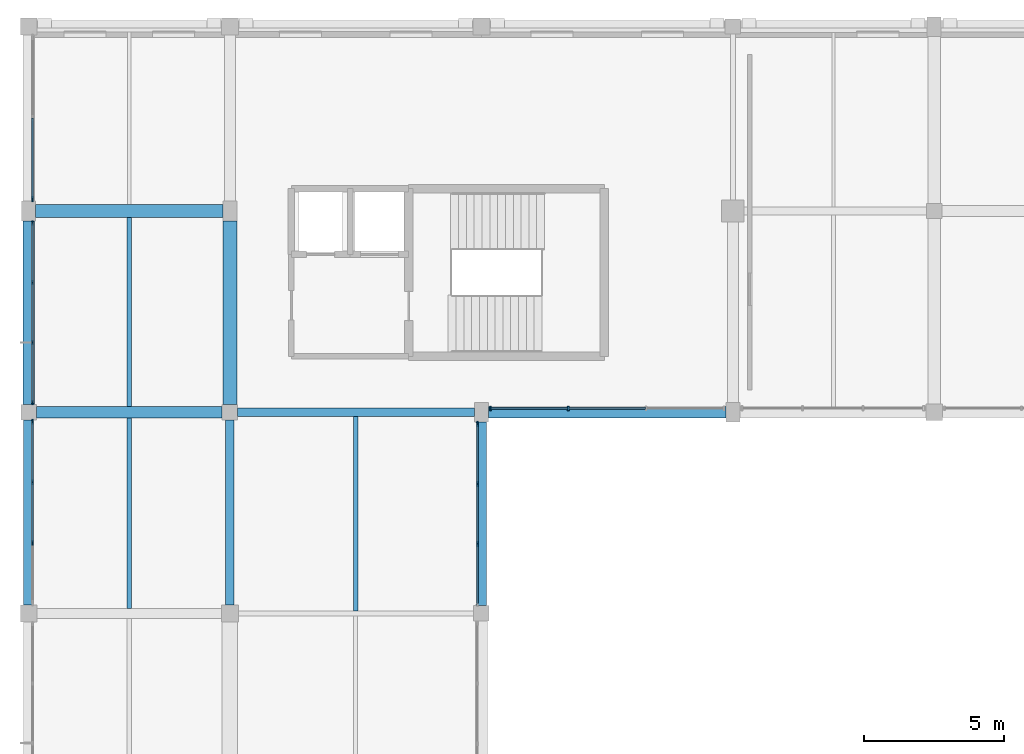
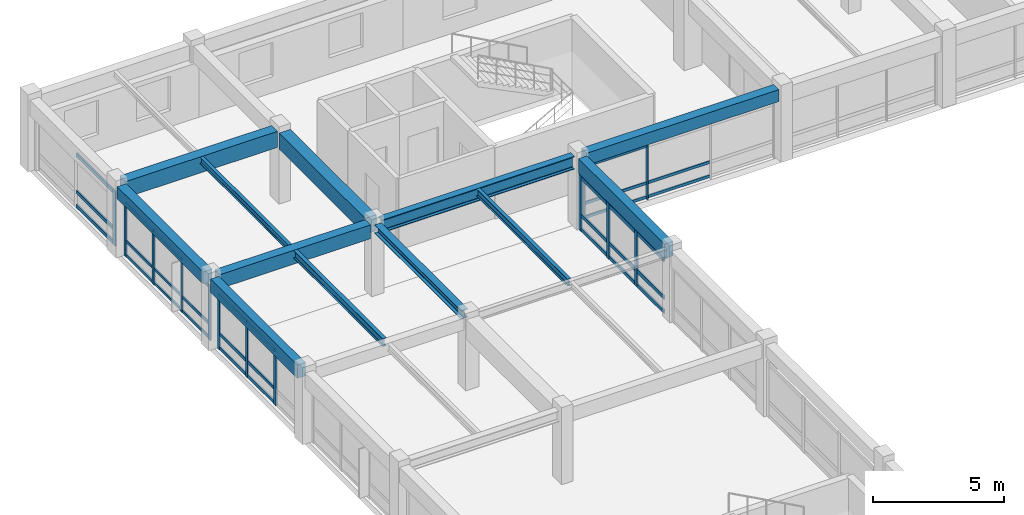
# One storey, part 23 of 74: 45 members, 12 beams, 5 elements without a shape of their own.
"""IFC4 building model written with IfcOpenShell, lengths in metres."""

from ifc_helpers import new_model, si_unit, direction, frame, origin, origin_2d, place, context, subcontext, project, spatial, rectangle, i_section, extrude, material, material_profile, profile_set, type_object, element, aggregate, save


model = new_model("IFC4")

# Units and contexts
model_context = context("Model", 3, precision=1e-05, world=origin(), true_north=direction((0.0, 1.0)))
body_context = subcontext(model_context, "Body", "Model", "MODEL_VIEW")
ifc_project = project(units=[si_unit("LENGTHUNIT", "METRE"), si_unit("AREAUNIT", "SQUARE_METRE"), si_unit("VOLUMEUNIT", "CUBIC_METRE"), si_unit("PLANEANGLEUNIT", "RADIAN"), si_unit("MASSUNIT", "GRAM", prefix="KILO")], contexts=[model_context])

# Site, building, storey
site_placement = place(None, origin())
site = spatial("IfcSite", under=ifc_project, at=site_placement, CompositionType="ELEMENT")
building_placement = place(site_placement, origin())
building = spatial("IfcBuilding", under=site, at=building_placement, Name="Clarverna Civic Hall", CompositionType="ELEMENT")
storey_placement = place(building_placement, frame((0.0, 0.0, 9.60009765625)))
storey = spatial("IfcBuildingStorey", under=building, at=storey_placement, Name="L02", CompositionType="ELEMENT", Elevation=9.60009765625)

# Beams
ifc_material_1 = material(Name="Concrete C35/45", Category="concrete")
ifc_material_profile_1 = material_profile(ifc_material_1, rectangle(XDim=0.5, YDim=0.75, at=origin_2d()), Name="RC 500x750")
ifc_profile_set_1 = profile_set([ifc_material_profile_1], Name="Concrete C35/45")
beam_type_1 = type_object("IfcBeamType", Name="B-RC15", PredefinedType="BEAM", material=ifc_profile_set_1)
beam_1_placement = place(storey_placement, frame((7.199951171875, 102.47509765625, 2.94482421875), z_axis=(0.0, 1.0, 0.0), x_axis=(-1.0, 0.0, 0.0)))
element("IfcBeam", 1, at=beam_1_placement, inside=storey, type_object=beam_type_1, Name="B-RC15-038", PredefinedType="BEAM", context=body_context, shape_type="SweptSolid", body=[
    extrude(rectangle(XDim=0.5, YDim=0.75, at=origin_2d()), origin(), (0.0, 0.0, 1.0), 6.574951171875),
])
ifc_material_profile_2 = material_profile(ifc_material_1, rectangle(XDim=0.449951171875, YDim=0.75, at=origin_2d()), Name="RC 450x750")
ifc_profile_set_2 = profile_set([ifc_material_profile_2], Name="Concrete C35/45")
beam_type_2 = type_object("IfcBeamType", Name="B-RC3", PredefinedType="BEAM", material=ifc_profile_set_2)
beam_2_placement = place(storey_placement, frame((0.25, 109.39990234375, 2.94482421875), z_axis=(1.0, 0.0, 0.0), x_axis=(0.0, 1.0, 0.0)))
element("IfcBeam", 2, at=beam_2_placement, inside=storey, type_object=beam_type_2, Name="B-RC3-031", PredefinedType="BEAM", context=body_context, shape_type="SweptSolid", body=[
    extrude(rectangle(XDim=0.449951171875, YDim=0.75, at=origin_2d()), origin(), (0.0, 0.0, 1.0), 6.699951171875),
])
ifc_material_profile_3 = material_profile(ifc_material_1, rectangle(XDim=0.39990234375, YDim=0.64990234375, at=origin_2d()), Name="RC 400x650")
ifc_profile_set_3 = profile_set([ifc_material_profile_3], Name="Concrete C35/45")
beam_type_3 = type_object("IfcBeamType", Name="B-RC6", PredefinedType="BEAM", material=ifc_profile_set_3)
beam_3_placement = place(storey_placement, frame((0.27490234375, 102.199951171875, 2.994873046875), z_axis=(1.0, 0.0, 0.0), x_axis=(0.0, 1.0, 0.0)))
element("IfcBeam", 3, at=beam_3_placement, inside=storey, type_object=beam_type_3, Name="B-RC6-037", PredefinedType="BEAM", context=body_context, shape_type="SweptSolid", body=[
    extrude(rectangle(XDim=0.39990234375, YDim=0.64990234375, at=origin_2d()), origin(), (0.0, 0.0, 1.0), 6.650146484375),
])
ifc_material_profile_4 = material_profile(ifc_material_1, rectangle(XDim=0.3798828125, YDim=0.679931640625, at=origin_2d()), Name="RC 380x680")
ifc_profile_set_4 = profile_set([ifc_material_profile_4], Name="Concrete C35/45")
beam_type_4 = type_object("IfcBeamType", Name="B-SP2", PredefinedType="SPANDREL", material=ifc_profile_set_4)
beam_4_placement = place(storey_placement, frame((16.199951171875, 95.27490234375, 2.97998046875), z_axis=(0.0, 1.0, 0.0), x_axis=(-1.0, 0.0, 0.0)))
element("IfcBeam", 4, at=beam_4_placement, inside=storey, type_object=beam_type_4, Name="B-SP2-100", PredefinedType="SPANDREL", context=body_context, shape_type="SweptSolid", body=[
    extrude(rectangle(XDim=0.3798828125, YDim=0.679931640625, at=origin_2d()), origin(), (0.0, 0.0, 1.0), 6.5751953125),
])
ifc_material_profile_5 = material_profile(ifc_material_1, rectangle(XDim=0.360107421875, YDim=0.6201171875, at=origin_2d()), Name="RC 360x620")
ifc_profile_set_5 = profile_set([ifc_material_profile_5], Name="Concrete C35/45")
beam_type_5 = type_object("IfcBeamType", Name="B-SP3", PredefinedType="SPANDREL", material=ifc_profile_set_5)
beam_5_placement = place(storey_placement, frame((0.0, 95.300048828125, 3.010009765625), z_axis=(0.0, 1.0, 0.0), x_axis=(-1.0, 0.0, 0.0)))
element("IfcBeam", 5, at=beam_5_placement, inside=storey, type_object=beam_type_5, Name="B-SP3-098", PredefinedType="SPANDREL", context=body_context, shape_type="SweptSolid", body=[
    extrude(rectangle(XDim=0.360107421875, YDim=0.6201171875, at=origin_2d()), origin(), (0.0, 0.0, 1.0), 6.625),
])
ifc_material_profile_6 = material_profile(ifc_material_1, rectangle(XDim=0.39990234375, YDim=0.56005859375, at=origin_2d()), Name="RC 400x560")
ifc_profile_set_6 = profile_set([ifc_material_profile_6], Name="Concrete C35/45")
beam_type_6 = type_object("IfcBeamType", Name="B-SP4", PredefinedType="SPANDREL", material=ifc_profile_set_6)
beam_6_placement = place(storey_placement, frame((16.449951171875, 102.199951171875, 3.039794921875), z_axis=(1.0, 0.0, 0.0), x_axis=(0.0, 1.0, 0.0)))
element("IfcBeam", 6, at=beam_6_placement, inside=storey, type_object=beam_type_6, Name="B-SP4-089", PredefinedType="SPANDREL", context=body_context, shape_type="SweptSolid", body=[
    extrude(rectangle(XDim=0.39990234375, YDim=0.56005859375, at=origin_2d()), origin(), (0.0, 0.0, 1.0), 8.5),
])
beam_7_placement = place(storey_placement, frame((0.0, 102.47509765625, 3.039794921875), z_axis=(0.0, 1.0, 0.0), x_axis=(-1.0, 0.0, 0.0)))
element("IfcBeam", 7, at=beam_7_placement, inside=storey, type_object=beam_type_6, Name="B-SP4-097", PredefinedType="SPANDREL", context=body_context, shape_type="SweptSolid", body=[
    extrude(rectangle(XDim=0.39990234375, YDim=0.56005859375, at=origin_2d()), origin(), (0.0, 0.0, 1.0), 6.574951171875),
])
ifc_material_2 = material(Name="Steel S355", Category="steel")
ifc_material_profile_7 = material_profile(ifc_material_2, i_section(OverallWidth=0.300048828125, OverallDepth=0.60009765625, WebThickness=0.015380859375, FlangeThickness=0.030029296875, FilletRadius=0.027099609375, at=origin_2d()), Name="HEB 600")
ifc_profile_set_7 = profile_set([ifc_material_profile_7], Name="Steel S355")
beam_type_7 = type_object("IfcBeamType", Name="B-ST1", PredefinedType="BEAM", material=ifc_profile_set_7)
beam_8_placement = place(storey_placement, frame((7.47509765625, 102.199951171875, 3.02001953125), z_axis=(1.0, 0.0, 0.0), x_axis=(0.0, 1.0, 0.0)))
element("IfcBeam", 8, at=beam_8_placement, inside=storey, type_object=beam_type_7, Name="B-ST1-010", PredefinedType="BEAM", context=body_context, shape_type="SweptSolid", body=[
    extrude(i_section(OverallWidth=0.300048828125, OverallDepth=0.60009765625, WebThickness=0.015380859375, FlangeThickness=0.030029296875, FilletRadius=0.027099609375, at=origin_2d()), origin(), (0.0, 0.0, 1.0), 8.474853515625),
])
ifc_material_profile_8 = material_profile(ifc_material_2, i_section(OverallWidth=0.300048828125, OverallDepth=0.389892578125, WebThickness=0.010986328125, FlangeThickness=0.01904296875, FilletRadius=0.027099609375, at=origin_2d()), Name="HEA 400")
ifc_profile_set_8 = profile_set([ifc_material_profile_8], Name="Steel S355")
beam_type_8 = type_object("IfcBeamType", Name="B-ST6", PredefinedType="BEAM", material=ifc_profile_set_8)
beam_9_placement = place(storey_placement, frame((7.199951171875, 95.300048828125, 3.125), z_axis=(0.0, 1.0, 0.0), x_axis=(-1.0, 0.0, 0.0)))
element("IfcBeam", 9, at=beam_9_placement, inside=storey, type_object=beam_type_8, Name="B-ST6-010", PredefinedType="BEAM", context=body_context, shape_type="SweptSolid", body=[
    extrude(i_section(OverallWidth=0.300048828125, OverallDepth=0.389892578125, WebThickness=0.010986328125, FlangeThickness=0.01904296875, FilletRadius=0.027099609375, at=origin_2d()), origin(), (0.0, 0.0, 1.0), 6.625),
])

# Curtain wall, members
ifc_material_3 = material(Name="Anodised Bronze Architectural Aluminium", Category="aluminium")
curtain_wall_type_1 = type_object("IfcCurtainWallType", Name="CW-01", PredefinedType="USERDEFINED", material=ifc_material_3)
curtain_wall_1_placement = place(storey_placement, origin())
curtain_wall_1 = element("IfcCurtainWall", 10, at=curtain_wall_1_placement, inside=storey, type_object=curtain_wall_type_1, Name="CW-01-027", ObjectType="UNITISED CURTAIN WALL", PredefinedType="USERDEFINED")
ifc_material_profile_9 = material_profile(ifc_material_3, rectangle(XDim=0.06005859375, YDim=0.179931640625, at=origin_2d()), Name="BRONZE 60x180")
ifc_profile_set_9 = profile_set([ifc_material_profile_9], Name="Anodised Bronze Architectural Aluminium")
member_type_1 = type_object("IfcMemberType", Name="CWM-01", PredefinedType="MULLION", material=ifc_profile_set_9)
member_1_placement = place(storey_placement, frame((0.139892578125, 97.53271484375, 0.0), z_axis=(0.0, 0.0, 1.0), x_axis=(1.0, 0.0, 0.0)))
member_1 = element("IfcMember", 11, at=member_1_placement, type_object=member_type_1, Name="CWM-01-079", PredefinedType="MULLION", context=body_context, shape_type="SweptSolid", body=[
    extrude(rectangle(XDim=0.06005859375, YDim=0.179931640625, at=origin_2d()), origin(), (0.0, 0.0, 1.0), 2.639892578125),
])
member_2_placement = place(storey_placement, frame((0.139892578125, 99.6923828125, 0.0), z_axis=(0.0, 0.0, 1.0), x_axis=(1.0, 0.0, 0.0)))
member_2 = element("IfcMember", 12, at=member_2_placement, type_object=member_type_1, Name="CWM-01-080", PredefinedType="MULLION", context=body_context, shape_type="SweptSolid", body=[
    extrude(rectangle(XDim=0.06005859375, YDim=0.179931640625, at=origin_2d()), origin(), (0.0, 0.0, 1.0), 2.639892578125),
])
member_3_placement = place(storey_placement, frame((0.139892578125, 101.85205078125, 0.0), z_axis=(0.0, 0.0, 1.0), x_axis=(1.0, 0.0, 0.0)))
member_3 = element("IfcMember", 13, at=member_3_placement, type_object=member_type_1, Name="CWM-01-081", PredefinedType="MULLION", context=body_context, shape_type="SweptSolid", body=[
    extrude(rectangle(XDim=0.06005859375, YDim=0.179931640625, at=origin_2d()), origin(), (0.0, 0.0, 1.0), 2.639892578125),
])

curtain_wall_2_placement = place(storey_placement, origin())
curtain_wall_2 = element("IfcCurtainWall", 14, at=curtain_wall_2_placement, inside=storey, type_object=curtain_wall_type_1, Name="CW-01-028", ObjectType="UNITISED CURTAIN WALL", PredefinedType="USERDEFINED")
ifc_material_profile_10 = material_profile(ifc_material_3, rectangle(XDim=0.06005859375, YDim=0.159912109375, at=origin_2d()), Name="BRONZE 60x160")
ifc_profile_set_10 = profile_set([ifc_material_profile_10], Name="Anodised Bronze Architectural Aluminium")
member_type_2 = type_object("IfcMemberType", Name="CWM-02", PredefinedType="MULLION", material=ifc_profile_set_10)
member_4_placement = place(storey_placement, frame((0.139892578125, 102.548095703125, 0.0), z_axis=(0.0, 0.0, 1.0), x_axis=(1.0, 0.0, 0.0)))
member_4 = element("IfcMember", 15, at=member_4_placement, type_object=member_type_2, Name="CWM-02-091", PredefinedType="MULLION", context=body_context, shape_type="SweptSolid", body=[
    extrude(rectangle(XDim=0.06005859375, YDim=0.159912109375, at=origin_2d()), origin(), (0.0, 0.0, 1.0), 2.56982421875),
])
member_5_placement = place(storey_placement, frame((0.139892578125, 104.69091796875, 0.0), z_axis=(0.0, 0.0, 1.0), x_axis=(1.0, 0.0, 0.0)))
member_5 = element("IfcMember", 16, at=member_5_placement, type_object=member_type_2, Name="CWM-02-092", PredefinedType="MULLION", context=body_context, shape_type="SweptSolid", body=[
    extrude(rectangle(XDim=0.06005859375, YDim=0.159912109375, at=origin_2d()), origin(), (0.0, 0.0, 1.0), 2.56982421875),
])
member_6_placement = place(storey_placement, frame((0.139892578125, 106.833984375, 0.0), z_axis=(0.0, 0.0, 1.0), x_axis=(1.0, 0.0, 0.0)))
member_6 = element("IfcMember", 17, at=member_6_placement, type_object=member_type_2, Name="CWM-02-093", PredefinedType="MULLION", context=body_context, shape_type="SweptSolid", body=[
    extrude(rectangle(XDim=0.06005859375, YDim=0.159912109375, at=origin_2d()), origin(), (0.0, 0.0, 1.0), 2.56982421875),
])
member_7_placement = place(storey_placement, frame((0.139892578125, 108.97705078125, 0.0), z_axis=(0.0, 0.0, 1.0), x_axis=(1.0, 0.0, 0.0)))
member_7 = element("IfcMember", 18, at=member_7_placement, type_object=member_type_2, Name="CWM-02-094", PredefinedType="MULLION", context=body_context, shape_type="SweptSolid", body=[
    extrude(rectangle(XDim=0.06005859375, YDim=0.159912109375, at=origin_2d()), origin(), (0.0, 0.0, 1.0), 2.56982421875),
])

curtain_wall_type_2 = type_object("IfcCurtainWallType", Name="CW-04", PredefinedType="USERDEFINED", material=ifc_material_3)
curtain_wall_3_placement = place(storey_placement, origin())
curtain_wall_3 = element("IfcCurtainWall", 19, at=curtain_wall_3_placement, inside=storey, type_object=curtain_wall_type_2, Name="CW-04-031", ObjectType="UNITISED CURTAIN WALL", PredefinedType="USERDEFINED")
member_8_placement = place(storey_placement, frame((19.3076171875, 102.340087890625, 0.0), z_axis=(0.0, 0.0, 1.0), x_axis=(1.0, 0.0, 0.0)))
member_8 = element("IfcMember", 20, at=member_8_placement, type_object=member_type_2, Name="CWM-02-147", PredefinedType="MULLION", context=body_context, shape_type="SweptSolid", body=[
    extrude(rectangle(XDim=0.06005859375, YDim=0.159912109375, at=origin_2d()), origin(), (0.0, 0.0, 1.0), 2.56982421875),
])
member_9_placement = place(storey_placement, frame((16.52294921875, 102.340087890625, 0.0), z_axis=(0.0, 0.0, 1.0), x_axis=(1.0, 0.0, 0.0)))
member_9 = element("IfcMember", 21, at=member_9_placement, type_object=member_type_2, Name="CWM-02-148", PredefinedType="MULLION", context=body_context, shape_type="SweptSolid", body=[
    extrude(rectangle(XDim=0.06005859375, YDim=0.159912109375, at=origin_2d()), origin(), (0.0, 0.0, 1.0), 2.56982421875),
])

# Curtain wall, member
curtain_wall_4_placement = place(storey_placement, origin())
curtain_wall_4 = element("IfcCurtainWall", 22, at=curtain_wall_4_placement, inside=storey, type_object=curtain_wall_type_1, Name="CW-01-029", ObjectType="UNITISED CURTAIN WALL", PredefinedType="USERDEFINED")
ifc_material_profile_11 = material_profile(ifc_material_3, rectangle(XDim=0.06494140625, YDim=0.199951171875, at=origin_2d()), Name="BRONZE 65x200")
ifc_profile_set_11 = profile_set([ifc_material_profile_11], Name="Anodised Bronze Architectural Aluminium")
member_type_3 = type_object("IfcMemberType", Name="CWM-03", PredefinedType="MULLION", material=ifc_profile_set_11)
member_10_placement = place(storey_placement, frame((0.139892578125, 109.822998046875, 0.0), z_axis=(0.0, 0.0, 1.0), x_axis=(1.0, 0.0, 0.0)))
member_10 = element("IfcMember", 23, at=member_10_placement, type_object=member_type_3, Name="CWM-03-079", PredefinedType="MULLION", context=body_context, shape_type="SweptSolid", body=[
    extrude(rectangle(XDim=0.06494140625, YDim=0.199951171875, at=origin_2d()), origin(), (0.0, 0.0, 1.0), 2.56982421875),
])

# Curtain wall, members
curtain_wall_5_placement = place(storey_placement, origin())
curtain_wall_5 = element("IfcCurtainWall", 24, at=curtain_wall_5_placement, inside=storey, type_object=curtain_wall_type_2, Name="CW-04-032", ObjectType="UNITISED CURTAIN WALL", PredefinedType="USERDEFINED")
member_11_placement = place(storey_placement, frame((16.06005859375, 101.777099609375, 0.0), z_axis=(0.0, 0.0, 1.0), x_axis=(1.0, 0.0, 0.0)))
member_11 = element("IfcMember", 25, at=member_11_placement, type_object=member_type_3, Name="CWM-03-121", PredefinedType="MULLION", context=body_context, shape_type="SweptSolid", body=[
    extrude(rectangle(XDim=0.06494140625, YDim=0.199951171875, at=origin_2d()), origin(), (0.0, 0.0, 1.0), 2.599853515625),
])
member_12_placement = place(storey_placement, frame((16.06005859375, 99.634033203125, 0.0), z_axis=(0.0, 0.0, 1.0), x_axis=(1.0, 0.0, 0.0)))
member_12 = element("IfcMember", 26, at=member_12_placement, type_object=member_type_3, Name="CWM-03-122", PredefinedType="MULLION", context=body_context, shape_type="SweptSolid", body=[
    extrude(rectangle(XDim=0.06494140625, YDim=0.199951171875, at=origin_2d()), origin(), (0.0, 0.0, 1.0), 2.599853515625),
])
member_13_placement = place(storey_placement, frame((16.06005859375, 97.490966796875, 0.0), z_axis=(0.0, 0.0, 1.0), x_axis=(1.0, 0.0, 0.0)))
member_13 = element("IfcMember", 27, at=member_13_placement, type_object=member_type_3, Name="CWM-03-123", PredefinedType="MULLION", context=body_context, shape_type="SweptSolid", body=[
    extrude(rectangle(XDim=0.06494140625, YDim=0.199951171875, at=origin_2d()), origin(), (0.0, 0.0, 1.0), 2.599853515625),
])

# Member
ifc_material_profile_12 = material_profile(ifc_material_3, rectangle(XDim=0.06005859375, YDim=0.14990234375, at=origin_2d()), Name="BRONZE 60x150")
ifc_profile_set_12 = profile_set([ifc_material_profile_12], Name="Anodised Bronze Architectural Aluminium")
member_type_4 = type_object("IfcMemberType", Name="CWT-01", PredefinedType="USERDEFINED", material=ifc_profile_set_12)
member_14_placement = place(storey_placement, frame((0.139892578125, 97.547607421875, 0.094970703125), z_axis=(0.0, 1.0, 0.0), x_axis=(-1.0, 0.0, 0.0)))
member_14 = element("IfcMember", 28, at=member_14_placement, type_object=member_type_4, Name="CWT-01-166", ObjectType="TRANSOM", PredefinedType="USERDEFINED", context=body_context, shape_type="SweptSolid", body=[
    extrude(rectangle(XDim=0.06005859375, YDim=0.14990234375, at=origin_2d()), origin(), (0.0, 0.0, 1.0), 2.129638671875),
])

member_15_placement = place(storey_placement, frame((0.139892578125, 97.547607421875, 0.75), z_axis=(0.0, 1.0, 0.0), x_axis=(-1.0, 0.0, 0.0)))
member_15 = element("IfcMember", 29, at=member_15_placement, type_object=member_type_4, Name="CWT-01-167", ObjectType="TRANSOM", PredefinedType="USERDEFINED", context=body_context, shape_type="SweptSolid", body=[
    extrude(rectangle(XDim=0.06005859375, YDim=0.14990234375, at=origin_2d()), origin(), (0.0, 0.0, 1.0), 2.129638671875),
])

member_16_placement = place(storey_placement, frame((0.139892578125, 97.547607421875, 2.544921875), z_axis=(0.0, 1.0, 0.0), x_axis=(-1.0, 0.0, 0.0)))
member_16 = element("IfcMember", 30, at=member_16_placement, type_object=member_type_4, Name="CWT-01-168", ObjectType="TRANSOM", PredefinedType="USERDEFINED", context=body_context, shape_type="SweptSolid", body=[
    extrude(rectangle(XDim=0.06005859375, YDim=0.14990234375, at=origin_2d()), origin(), (0.0, 0.0, 1.0), 2.129638671875),
])

member_17_placement = place(storey_placement, frame((0.139892578125, 99.707275390625, 0.094970703125), z_axis=(0.0, 1.0, 0.0), x_axis=(-1.0, 0.0, 0.0)))
member_17 = element("IfcMember", 31, at=member_17_placement, type_object=member_type_4, Name="CWT-01-169", ObjectType="TRANSOM", PredefinedType="USERDEFINED", context=body_context, shape_type="SweptSolid", body=[
    extrude(rectangle(XDim=0.06005859375, YDim=0.14990234375, at=origin_2d()), origin(), (0.0, 0.0, 1.0), 2.129638671875),
])

member_18_placement = place(storey_placement, frame((0.139892578125, 99.707275390625, 0.75), z_axis=(0.0, 1.0, 0.0), x_axis=(-1.0, 0.0, 0.0)))
member_18 = element("IfcMember", 32, at=member_18_placement, type_object=member_type_4, Name="CWT-01-170", ObjectType="TRANSOM", PredefinedType="USERDEFINED", context=body_context, shape_type="SweptSolid", body=[
    extrude(rectangle(XDim=0.06005859375, YDim=0.14990234375, at=origin_2d()), origin(), (0.0, 0.0, 1.0), 2.129638671875),
])

member_19_placement = place(storey_placement, frame((0.139892578125, 99.707275390625, 2.544921875), z_axis=(0.0, 1.0, 0.0), x_axis=(-1.0, 0.0, 0.0)))
member_19 = element("IfcMember", 33, at=member_19_placement, type_object=member_type_4, Name="CWT-01-171", ObjectType="TRANSOM", PredefinedType="USERDEFINED", context=body_context, shape_type="SweptSolid", body=[
    extrude(rectangle(XDim=0.06005859375, YDim=0.14990234375, at=origin_2d()), origin(), (0.0, 0.0, 1.0), 2.129638671875),
])

aggregate(curtain_wall_1, [member_1, member_2, member_3, member_14, member_15, member_16, member_17, member_18, member_19])

ifc_material_profile_13 = material_profile(ifc_material_3, rectangle(XDim=0.06005859375, YDim=0.1298828125, at=origin_2d()), Name="BRONZE 60x130")
ifc_profile_set_13 = profile_set([ifc_material_profile_13], Name="Anodised Bronze Architectural Aluminium")
member_type_5 = type_object("IfcMemberType", Name="CWT-02", PredefinedType="USERDEFINED", material=ifc_profile_set_13)
member_20_placement = place(storey_placement, frame((0.139892578125, 102.56298828125, 0.094970703125), z_axis=(0.0, 1.0, 0.0), x_axis=(-1.0, 0.0, 0.0)))
member_20 = element("IfcMember", 34, at=member_20_placement, type_object=member_type_5, Name="CWT-02-190", ObjectType="TRANSOM", PredefinedType="USERDEFINED", context=body_context, shape_type="SweptSolid", body=[
    extrude(rectangle(XDim=0.06005859375, YDim=0.1298828125, at=origin_2d()), origin(), (0.0, 0.0, 1.0), 2.113037109375),
])

member_21_placement = place(storey_placement, frame((0.139892578125, 102.56298828125, 0.75), z_axis=(0.0, 1.0, 0.0), x_axis=(-1.0, 0.0, 0.0)))
member_21 = element("IfcMember", 35, at=member_21_placement, type_object=member_type_5, Name="CWT-02-191", ObjectType="TRANSOM", PredefinedType="USERDEFINED", context=body_context, shape_type="SweptSolid", body=[
    extrude(rectangle(XDim=0.06005859375, YDim=0.1298828125, at=origin_2d()), origin(), (0.0, 0.0, 1.0), 2.113037109375),
])

member_22_placement = place(storey_placement, frame((0.139892578125, 102.56298828125, 2.474853515625), z_axis=(0.0, 1.0, 0.0), x_axis=(-1.0, 0.0, 0.0)))
member_22 = element("IfcMember", 36, at=member_22_placement, type_object=member_type_5, Name="CWT-02-192", ObjectType="TRANSOM", PredefinedType="USERDEFINED", context=body_context, shape_type="SweptSolid", body=[
    extrude(rectangle(XDim=0.06005859375, YDim=0.1298828125, at=origin_2d()), origin(), (0.0, 0.0, 1.0), 2.113037109375),
])

member_23_placement = place(storey_placement, frame((0.139892578125, 104.7060546875, 0.094970703125), z_axis=(0.0, 1.0, 0.0), x_axis=(-1.0, 0.0, 0.0)))
member_23 = element("IfcMember", 37, at=member_23_placement, type_object=member_type_5, Name="CWT-02-193", ObjectType="TRANSOM", PredefinedType="USERDEFINED", context=body_context, shape_type="SweptSolid", body=[
    extrude(rectangle(XDim=0.06005859375, YDim=0.1298828125, at=origin_2d()), origin(), (0.0, 0.0, 1.0), 2.113037109375),
])

member_24_placement = place(storey_placement, frame((0.139892578125, 104.7060546875, 0.75), z_axis=(0.0, 1.0, 0.0), x_axis=(-1.0, 0.0, 0.0)))
member_24 = element("IfcMember", 38, at=member_24_placement, type_object=member_type_5, Name="CWT-02-194", ObjectType="TRANSOM", PredefinedType="USERDEFINED", context=body_context, shape_type="SweptSolid", body=[
    extrude(rectangle(XDim=0.06005859375, YDim=0.1298828125, at=origin_2d()), origin(), (0.0, 0.0, 1.0), 2.113037109375),
])

member_25_placement = place(storey_placement, frame((0.139892578125, 104.7060546875, 2.474853515625), z_axis=(0.0, 1.0, 0.0), x_axis=(-1.0, 0.0, 0.0)))
member_25 = element("IfcMember", 39, at=member_25_placement, type_object=member_type_5, Name="CWT-02-195", ObjectType="TRANSOM", PredefinedType="USERDEFINED", context=body_context, shape_type="SweptSolid", body=[
    extrude(rectangle(XDim=0.06005859375, YDim=0.1298828125, at=origin_2d()), origin(), (0.0, 0.0, 1.0), 2.113037109375),
])

member_26_placement = place(storey_placement, frame((0.139892578125, 106.84912109375, 0.094970703125), z_axis=(0.0, 1.0, 0.0), x_axis=(-1.0, 0.0, 0.0)))
member_26 = element("IfcMember", 40, at=member_26_placement, type_object=member_type_5, Name="CWT-02-196", ObjectType="TRANSOM", PredefinedType="USERDEFINED", context=body_context, shape_type="SweptSolid", body=[
    extrude(rectangle(XDim=0.06005859375, YDim=0.1298828125, at=origin_2d()), origin(), (0.0, 0.0, 1.0), 2.11279296875),
])

member_27_placement = place(storey_placement, frame((0.139892578125, 106.84912109375, 0.75), z_axis=(0.0, 1.0, 0.0), x_axis=(-1.0, 0.0, 0.0)))
member_27 = element("IfcMember", 41, at=member_27_placement, type_object=member_type_5, Name="CWT-02-197", ObjectType="TRANSOM", PredefinedType="USERDEFINED", context=body_context, shape_type="SweptSolid", body=[
    extrude(rectangle(XDim=0.06005859375, YDim=0.1298828125, at=origin_2d()), origin(), (0.0, 0.0, 1.0), 2.11279296875),
])

member_28_placement = place(storey_placement, frame((0.139892578125, 106.84912109375, 2.474853515625), z_axis=(0.0, 1.0, 0.0), x_axis=(-1.0, 0.0, 0.0)))
member_28 = element("IfcMember", 42, at=member_28_placement, type_object=member_type_5, Name="CWT-02-198", ObjectType="TRANSOM", PredefinedType="USERDEFINED", context=body_context, shape_type="SweptSolid", body=[
    extrude(rectangle(XDim=0.06005859375, YDim=0.1298828125, at=origin_2d()), origin(), (0.0, 0.0, 1.0), 2.11279296875),
])

aggregate(curtain_wall_2, [member_4, member_5, member_6, member_7, member_20, member_21, member_22, member_23, member_24, member_25, member_26, member_27, member_28])

member_29_placement = place(storey_placement, frame((22.077392578125, 102.340087890625, 0.094970703125), z_axis=(-1.0, 0.0, 0.0), x_axis=(0.0, -1.0, 0.0)))
member_29 = element("IfcMember", 43, at=member_29_placement, type_object=member_type_5, Name="CWT-02-307", ObjectType="TRANSOM", PredefinedType="USERDEFINED", context=body_context, shape_type="SweptSolid", body=[
    extrude(rectangle(XDim=0.06005859375, YDim=0.1298828125, at=origin_2d()), origin(), (0.0, 0.0, 1.0), 2.754638671875),
])

member_30_placement = place(storey_placement, frame((22.077392578125, 102.340087890625, 0.75), z_axis=(-1.0, 0.0, 0.0), x_axis=(0.0, -1.0, 0.0)))
member_30 = element("IfcMember", 44, at=member_30_placement, type_object=member_type_5, Name="CWT-02-308", ObjectType="TRANSOM", PredefinedType="USERDEFINED", context=body_context, shape_type="SweptSolid", body=[
    extrude(rectangle(XDim=0.06005859375, YDim=0.1298828125, at=origin_2d()), origin(), (0.0, 0.0, 1.0), 2.754638671875),
])

member_31_placement = place(storey_placement, frame((19.292724609375, 102.340087890625, 0.094970703125), z_axis=(-1.0, 0.0, 0.0), x_axis=(0.0, -1.0, 0.0)))
member_31 = element("IfcMember", 45, at=member_31_placement, type_object=member_type_5, Name="CWT-02-310", ObjectType="TRANSOM", PredefinedType="USERDEFINED", context=body_context, shape_type="SweptSolid", body=[
    extrude(rectangle(XDim=0.06005859375, YDim=0.1298828125, at=origin_2d()), origin(), (0.0, 0.0, 1.0), 2.754638671875),
])

member_32_placement = place(storey_placement, frame((19.292724609375, 102.340087890625, 0.75), z_axis=(-1.0, 0.0, 0.0), x_axis=(0.0, -1.0, 0.0)))
member_32 = element("IfcMember", 46, at=member_32_placement, type_object=member_type_5, Name="CWT-02-311", ObjectType="TRANSOM", PredefinedType="USERDEFINED", context=body_context, shape_type="SweptSolid", body=[
    extrude(rectangle(XDim=0.06005859375, YDim=0.1298828125, at=origin_2d()), origin(), (0.0, 0.0, 1.0), 2.754638671875),
])

member_33_placement = place(storey_placement, frame((19.292724609375, 102.340087890625, 2.474853515625), z_axis=(-1.0, 0.0, 0.0), x_axis=(0.0, -1.0, 0.0)))
member_33 = element("IfcMember", 47, at=member_33_placement, type_object=member_type_5, Name="CWT-02-312", ObjectType="TRANSOM", PredefinedType="USERDEFINED", context=body_context, shape_type="SweptSolid", body=[
    extrude(rectangle(XDim=0.06005859375, YDim=0.1298828125, at=origin_2d()), origin(), (0.0, 0.0, 1.0), 2.754638671875),
])

aggregate(curtain_wall_3, [member_8, member_9, member_29, member_30, member_31, member_32, member_33])

ifc_material_profile_14 = material_profile(ifc_material_3, rectangle(XDim=0.06494140625, YDim=0.169921875, at=origin_2d()), Name="BRONZE 65x170")
ifc_profile_set_14 = profile_set([ifc_material_profile_14], Name="Anodised Bronze Architectural Aluminium")
member_type_6 = type_object("IfcMemberType", Name="CWT-03", PredefinedType="USERDEFINED", material=ifc_profile_set_14)
member_34_placement = place(storey_placement, frame((0.139892578125, 109.837890625, 0.094970703125), z_axis=(0.0, 1.0, 0.0), x_axis=(-1.0, 0.0, 0.0)))
member_34 = element("IfcMember", 48, at=member_34_placement, type_object=member_type_6, Name="CWT-03-166", ObjectType="TRANSOM", PredefinedType="USERDEFINED", context=body_context, shape_type="SweptSolid", body=[
    extrude(rectangle(XDim=0.06494140625, YDim=0.169921875, at=origin_2d()), origin(), (0.0, 0.0, 1.0), 2.8720703125),
])

member_35_placement = place(storey_placement, frame((0.139892578125, 109.837890625, 0.75), z_axis=(0.0, 1.0, 0.0), x_axis=(-1.0, 0.0, 0.0)))
member_35 = element("IfcMember", 49, at=member_35_placement, type_object=member_type_6, Name="CWT-03-167", ObjectType="TRANSOM", PredefinedType="USERDEFINED", context=body_context, shape_type="SweptSolid", body=[
    extrude(rectangle(XDim=0.06494140625, YDim=0.169921875, at=origin_2d()), origin(), (0.0, 0.0, 1.0), 2.8720703125),
])

member_36_placement = place(storey_placement, frame((0.139892578125, 109.837890625, 2.474853515625), z_axis=(0.0, 1.0, 0.0), x_axis=(-1.0, 0.0, 0.0)))
member_36 = element("IfcMember", 50, at=member_36_placement, type_object=member_type_6, Name="CWT-03-168", ObjectType="TRANSOM", PredefinedType="USERDEFINED", context=body_context, shape_type="SweptSolid", body=[
    extrude(rectangle(XDim=0.06494140625, YDim=0.169921875, at=origin_2d()), origin(), (0.0, 0.0, 1.0), 2.8720703125),
])

aggregate(curtain_wall_4, [member_10, member_34, member_35, member_36])

member_37_placement = place(storey_placement, frame((16.06005859375, 101.761962890625, 0.094970703125), z_axis=(0.0, -1.0, 0.0), x_axis=(1.0, 0.0, 0.0)))
member_37 = element("IfcMember", 51, at=member_37_placement, type_object=member_type_6, Name="CWT-03-256", ObjectType="TRANSOM", PredefinedType="USERDEFINED", context=body_context, shape_type="SweptSolid", body=[
    extrude(rectangle(XDim=0.06494140625, YDim=0.169921875, at=origin_2d()), origin(), (0.0, 0.0, 1.0), 2.113037109375),
])

member_38_placement = place(storey_placement, frame((16.06005859375, 101.761962890625, 0.75), z_axis=(0.0, -1.0, 0.0), x_axis=(1.0, 0.0, 0.0)))
member_38 = element("IfcMember", 52, at=member_38_placement, type_object=member_type_6, Name="CWT-03-257", ObjectType="TRANSOM", PredefinedType="USERDEFINED", context=body_context, shape_type="SweptSolid", body=[
    extrude(rectangle(XDim=0.06494140625, YDim=0.169921875, at=origin_2d()), origin(), (0.0, 0.0, 1.0), 2.113037109375),
])

member_39_placement = place(storey_placement, frame((16.06005859375, 101.761962890625, 2.5048828125), z_axis=(0.0, -1.0, 0.0), x_axis=(1.0, 0.0, 0.0)))
member_39 = element("IfcMember", 53, at=member_39_placement, type_object=member_type_6, Name="CWT-03-258", ObjectType="TRANSOM", PredefinedType="USERDEFINED", context=body_context, shape_type="SweptSolid", body=[
    extrude(rectangle(XDim=0.06494140625, YDim=0.169921875, at=origin_2d()), origin(), (0.0, 0.0, 1.0), 2.113037109375),
])

member_40_placement = place(storey_placement, frame((16.06005859375, 99.618896484375, 0.094970703125), z_axis=(0.0, -1.0, 0.0), x_axis=(1.0, 0.0, 0.0)))
member_40 = element("IfcMember", 54, at=member_40_placement, type_object=member_type_6, Name="CWT-03-259", ObjectType="TRANSOM", PredefinedType="USERDEFINED", context=body_context, shape_type="SweptSolid", body=[
    extrude(rectangle(XDim=0.06494140625, YDim=0.169921875, at=origin_2d()), origin(), (0.0, 0.0, 1.0), 2.11279296875),
])

member_41_placement = place(storey_placement, frame((16.06005859375, 99.618896484375, 0.75), z_axis=(0.0, -1.0, 0.0), x_axis=(1.0, 0.0, 0.0)))
member_41 = element("IfcMember", 55, at=member_41_placement, type_object=member_type_6, Name="CWT-03-260", ObjectType="TRANSOM", PredefinedType="USERDEFINED", context=body_context, shape_type="SweptSolid", body=[
    extrude(rectangle(XDim=0.06494140625, YDim=0.169921875, at=origin_2d()), origin(), (0.0, 0.0, 1.0), 2.11279296875),
])

member_42_placement = place(storey_placement, frame((16.06005859375, 99.618896484375, 2.5048828125), z_axis=(0.0, -1.0, 0.0), x_axis=(1.0, 0.0, 0.0)))
member_42 = element("IfcMember", 56, at=member_42_placement, type_object=member_type_6, Name="CWT-03-261", ObjectType="TRANSOM", PredefinedType="USERDEFINED", context=body_context, shape_type="SweptSolid", body=[
    extrude(rectangle(XDim=0.06494140625, YDim=0.169921875, at=origin_2d()), origin(), (0.0, 0.0, 1.0), 2.11279296875),
])

member_43_placement = place(storey_placement, frame((16.06005859375, 97.47607421875, 0.094970703125), z_axis=(0.0, -1.0, 0.0), x_axis=(1.0, 0.0, 0.0)))
member_43 = element("IfcMember", 57, at=member_43_placement, type_object=member_type_6, Name="CWT-03-262", ObjectType="TRANSOM", PredefinedType="USERDEFINED", context=body_context, shape_type="SweptSolid", body=[
    extrude(rectangle(XDim=0.06494140625, YDim=0.169921875, at=origin_2d()), origin(), (0.0, 0.0, 1.0), 2.113037109375),
])

member_44_placement = place(storey_placement, frame((16.06005859375, 97.47607421875, 0.75), z_axis=(0.0, -1.0, 0.0), x_axis=(1.0, 0.0, 0.0)))
member_44 = element("IfcMember", 58, at=member_44_placement, type_object=member_type_6, Name="CWT-03-263", ObjectType="TRANSOM", PredefinedType="USERDEFINED", context=body_context, shape_type="SweptSolid", body=[
    extrude(rectangle(XDim=0.06494140625, YDim=0.169921875, at=origin_2d()), origin(), (0.0, 0.0, 1.0), 2.113037109375),
])

member_45_placement = place(storey_placement, frame((16.06005859375, 97.47607421875, 2.5048828125), z_axis=(0.0, -1.0, 0.0), x_axis=(1.0, 0.0, 0.0)))
member_45 = element("IfcMember", 59, at=member_45_placement, type_object=member_type_6, Name="CWT-03-264", ObjectType="TRANSOM", PredefinedType="USERDEFINED", context=body_context, shape_type="SweptSolid", body=[
    extrude(rectangle(XDim=0.06494140625, YDim=0.169921875, at=origin_2d()), origin(), (0.0, 0.0, 1.0), 2.113037109375),
])

aggregate(curtain_wall_5, [member_11, member_12, member_13, member_37, member_38, member_39, member_40, member_41, member_42, member_43, member_44, member_45])

# Beams
ifc_material_profile_15 = material_profile(ifc_material_2, i_section(OverallWidth=0.169921875, OverallDepth=0.360107421875, WebThickness=0.008056640625, FlangeThickness=0.0126953125, FilletRadius=0.01806640625, at=origin_2d()), Name="IPE 360")
ifc_profile_set_15 = profile_set([ifc_material_profile_15], Name="Steel S355")
beam_type_9 = type_object("IfcBeamType", Name="J-ST1", PredefinedType="JOIST", material=ifc_profile_set_15)
beam_10_placement = place(storey_placement, frame((3.60009765625, 95.175048828125, 3.139892578125), z_axis=(0.0, 1.0, 0.0), x_axis=(-1.0, 0.0, 0.0)))
element("IfcBeam", 60, at=beam_10_placement, inside=storey, type_object=beam_type_9, Name="J-ST1-056", PredefinedType="JOIST", context=body_context, shape_type="SweptSolid", body=[
    extrude(i_section(OverallWidth=0.169921875, OverallDepth=0.360107421875, WebThickness=0.008056640625, FlangeThickness=0.0126953125, FilletRadius=0.01806640625, at=origin_2d()), origin(), (0.0, 0.0, 1.0), 6.824951171875),
])
ifc_material_profile_16 = material_profile(ifc_material_2, i_section(OverallWidth=0.159912109375, OverallDepth=0.330078125, WebThickness=0.007568359375, FlangeThickness=0.011474609375, FilletRadius=0.01806640625, at=origin_2d()), Name="IPE 330")
ifc_profile_set_16 = profile_set([ifc_material_profile_16], Name="Steel S355")
beam_type_10 = type_object("IfcBeamType", Name="J-ST2", PredefinedType="JOIST", material=ifc_profile_set_16)
beam_11_placement = place(storey_placement, frame((11.699951171875, 95.090087890625, 3.15478515625), z_axis=(0.0, 1.0, 0.0), x_axis=(-1.0, 0.0, 0.0)))
element("IfcBeam", 61, at=beam_11_placement, inside=storey, type_object=beam_type_10, Name="J-ST2-056", PredefinedType="JOIST", context=body_context, shape_type="SweptSolid", body=[
    extrude(i_section(OverallWidth=0.159912109375, OverallDepth=0.330078125, WebThickness=0.007568359375, FlangeThickness=0.011474609375, FilletRadius=0.01806640625, at=origin_2d()), origin(), (0.0, 0.0, 1.0), 6.9599609375),
])
ifc_material_profile_17 = material_profile(ifc_material_2, i_section(OverallWidth=0.14990234375, OverallDepth=0.300048828125, WebThickness=0.007080078125, FlangeThickness=0.0107421875, FilletRadius=0.014892578125, at=origin_2d()), Name="IPE 300")
ifc_profile_set_17 = profile_set([ifc_material_profile_17], Name="Steel S355")
beam_type_11 = type_object("IfcBeamType", Name="J-ST3", PredefinedType="JOIST", material=ifc_profile_set_17)
beam_12_placement = place(storey_placement, frame((3.60009765625, 102.39990234375, 3.169921875), z_axis=(0.0, 1.0, 0.0), x_axis=(-1.0, 0.0, 0.0)))
element("IfcBeam", 62, at=beam_12_placement, inside=storey, type_object=beam_type_11, Name="J-ST3-057", PredefinedType="JOIST", context=body_context, shape_type="SweptSolid", body=[
    extrude(i_section(OverallWidth=0.14990234375, OverallDepth=0.300048828125, WebThickness=0.007080078125, FlangeThickness=0.0107421875, FilletRadius=0.014892578125, at=origin_2d()), origin(), (0.0, 0.0, 1.0), 6.775146484375),
])

save(model, "model.ifc")
